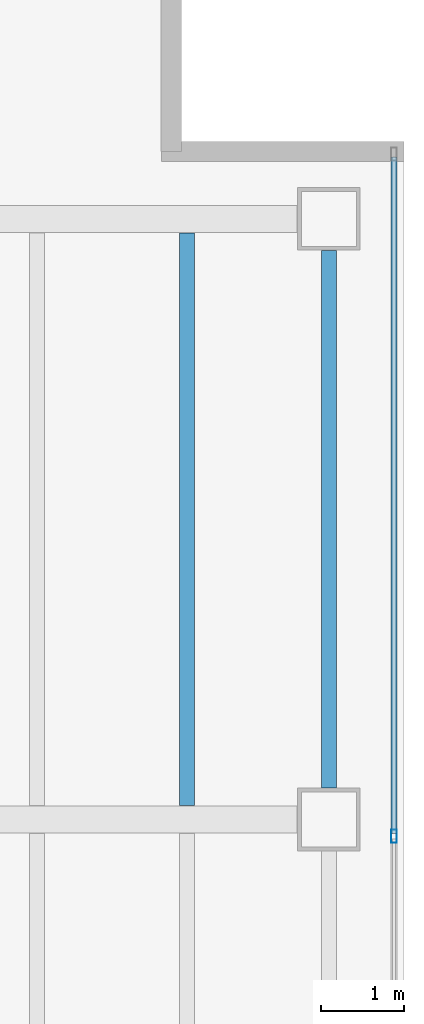
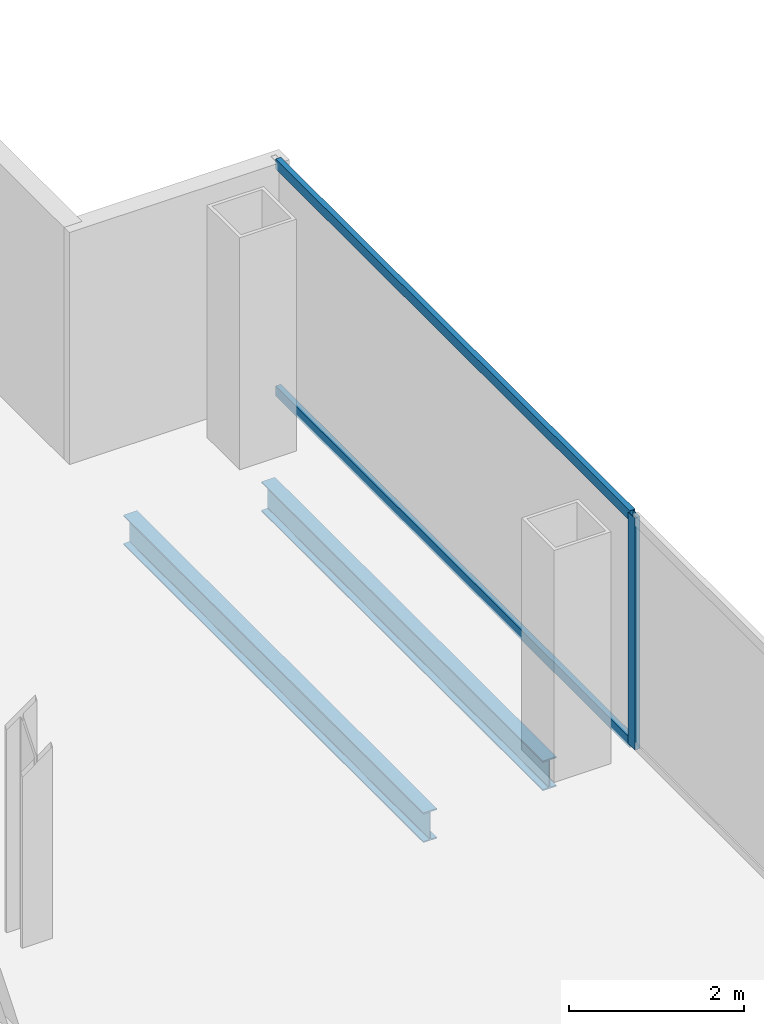
# One storey, part 14 of 23: 3 members, 2 beams, 1 element without a shape of its own.
"""IFC4 building model written with IfcOpenShell, lengths in metres."""

from ifc_helpers import new_model, si_unit, direction, frame, origin, origin_2d, place, context, subcontext, project, spatial, hollow_rectangle, i_section, extrude, material, material_profile, profile_set, type_object, element, aggregate, save


model = new_model("IFC4")

# Units and contexts
model_context = context("Model", 3, precision=1e-05, world=origin(), true_north=direction((0.0, 1.0)))
body_context = subcontext(model_context, "Body", "Model", "MODEL_VIEW")
ifc_project = project(units=[si_unit("LENGTHUNIT", "METRE"), si_unit("AREAUNIT", "SQUARE_METRE"), si_unit("VOLUMEUNIT", "CUBIC_METRE"), si_unit("PLANEANGLEUNIT", "RADIAN"), si_unit("MASSUNIT", "GRAM", prefix="KILO")], contexts=[model_context])

# Site, building, storey
site_placement = place(None, origin())
site = spatial("IfcSite", under=ifc_project, at=site_placement, CompositionType="ELEMENT")
building_placement = place(site_placement, origin())
building = spatial("IfcBuilding", under=site, at=building_placement, Name="Cobrela Telecom Tower", CompositionType="ELEMENT")
storey_placement = place(building_placement, frame((0.0, 0.0, 222.25)))
storey = spatial("IfcBuildingStorey", under=building, at=storey_placement, Name="L57", CompositionType="ELEMENT", Elevation=222.25)

# Beams
ifc_material_1 = material(Name="Steel ASTM A992 Grade 50", Category="steel")
ifc_material_profile_1 = material_profile(ifc_material_1, i_section(OverallWidth=0.179931640625, OverallDepth=0.4169921875, WebThickness=0.010986328125, FlangeThickness=0.01806640625, FilletRadius=0.011962890625, at=origin_2d()), Name="W16X57")
ifc_profile_set_1 = profile_set([ifc_material_profile_1], Name="Steel ASTM A992 Grade 50")
beam_type_1 = type_object("IfcBeamType", Name="BM-JOIST-04", PredefinedType="JOIST", material=ifc_profile_set_1)
beam_1_placement = place(storey_placement, frame((41.39990234375, 14.5673828125, -0.468505859375), z_axis=(0.0, 1.0, 0.0), x_axis=(-1.0, 0.0, 0.0)))
element("IfcBeam", 1, at=beam_1_placement, inside=storey, type_object=beam_type_1, Name="L57 Secondary Composite Floor Beam J30", PredefinedType="JOIST", context=body_context, shape_type="SweptSolid", body=[
    extrude(i_section(OverallWidth=0.179931640625, OverallDepth=0.4169921875, WebThickness=0.010986328125, FlangeThickness=0.01806640625, FilletRadius=0.011962890625, at=origin_2d()), origin(), (0.0, 0.0, 1.0), 6.865234375),
])
ifc_material_profile_2 = material_profile(ifc_material_1, i_section(OverallWidth=0.179931640625, OverallDepth=0.4169921875, WebThickness=0.010986328125, FlangeThickness=0.01806640625, FilletRadius=0.011962890625, at=origin_2d()), Name="W16X57")
ifc_profile_set_2 = profile_set([ifc_material_profile_2], Name="Steel ASTM A992 Grade 50")
beam_type_2 = type_object("IfcBeamType", Name="BM-SPAND-06", PredefinedType="SPANDREL", material=ifc_profile_set_2)
beam_2_placement = place(storey_placement, frame((43.10009765625, 14.780029296875, -0.468505859375), z_axis=(0.0, 1.0, 0.0), x_axis=(-1.0, 0.0, 0.0)))
element("IfcBeam", 2, at=beam_2_placement, inside=storey, type_object=beam_type_2, Name="L57 Perimeter Spandrel Y43", PredefinedType="SPANDREL", context=body_context, shape_type="SweptSolid", body=[
    extrude(i_section(OverallWidth=0.179931640625, OverallDepth=0.4169921875, WebThickness=0.010986328125, FlangeThickness=0.01806640625, FilletRadius=0.011962890625, at=origin_2d()), origin(), (0.0, 0.0, 1.0), 6.43994140625),
])

# Curtain wall, members
ifc_material_2 = material(Name="Anodized Bronze Aluminium 6063-T6", Category="aluminium")
curtain_wall_type = type_object("IfcCurtainWallType", Name="CW-SYS-OFF-LO", PredefinedType="USERDEFINED", material=ifc_material_2)
curtain_wall_placement = place(storey_placement, origin())
curtain_wall = element("IfcCurtainWall", 3, at=curtain_wall_placement, inside=storey, type_object=curtain_wall_type, Name="L57 Unitised Bronze Curtain Wall 14", ObjectType="UNITISED CURTAIN WALL", PredefinedType="USERDEFINED")
ifc_material_profile_3 = material_profile(ifc_material_2, hollow_rectangle(XDim=0.070068359375, YDim=0.159912109375, WallThickness=0.00390625, at=origin_2d()), Name="ALU 70x160x4")
ifc_profile_set_3 = profile_set([ifc_material_profile_3], Name="Anodized Bronze Aluminium 6063-T6")
member_type_1 = type_object("IfcMemberType", Name="CW-SYS-OFF-LO-MUL", PredefinedType="MULLION", material=ifc_profile_set_3)
member_1_placement = place(storey_placement, frame((43.8798828125, 14.199951171875, 0.0), z_axis=(0.0, 0.0, 1.0), x_axis=(1.0, 0.0, 0.0)))
member_1 = element("IfcMember", 4, at=member_1_placement, type_object=member_type_1, Name="CW-OFF-LO mullion 2", PredefinedType="MULLION", context=body_context, shape_type="SweptSolid", body=[
    extrude(hollow_rectangle(XDim=0.070068359375, YDim=0.159912109375, WallThickness=0.00390625, at=origin_2d()), origin(), (0.0, 0.0, 1.0), 3.239990234375),
])
ifc_material_profile_4 = material_profile(ifc_material_2, hollow_rectangle(XDim=0.070068359375, YDim=0.139892578125, WallThickness=0.00390625, at=origin_2d()), Name="ALU 70x140x4")
ifc_profile_set_4 = profile_set([ifc_material_profile_4], Name="Anodized Bronze Aluminium 6063-T6")
member_type_2 = type_object("IfcMemberType", Name="CW-SYS-OFF-LO-TRN", PredefinedType="USERDEFINED", material=ifc_profile_set_4)
member_2_placement = place(storey_placement, frame((43.8798828125, 22.340087890625, 0.034912109375), z_axis=(0.0, -1.0, 0.0), x_axis=(1.0, 0.0, 0.0)))
member_2 = element("IfcMember", 5, at=member_2_placement, type_object=member_type_2, Name="CW-OFF-LO transom 1.1", ObjectType="TRANSOM", PredefinedType="USERDEFINED", context=body_context, shape_type="SweptSolid", body=[
    extrude(hollow_rectangle(XDim=0.070068359375, YDim=0.139892578125, WallThickness=0.00390625, at=origin_2d()), origin(), (0.0, 0.0, 1.0), 8.10498046875),
])
member_3_placement = place(storey_placement, frame((43.8798828125, 22.340087890625, 3.205078125), z_axis=(0.0, -1.0, 0.0), x_axis=(1.0, 0.0, 0.0)))
member_3 = element("IfcMember", 6, at=member_3_placement, type_object=member_type_2, Name="CW-OFF-LO transom 1.2", ObjectType="TRANSOM", PredefinedType="USERDEFINED", context=body_context, shape_type="SweptSolid", body=[
    extrude(hollow_rectangle(XDim=0.070068359375, YDim=0.139892578125, WallThickness=0.00390625, at=origin_2d()), origin(), (0.0, 0.0, 1.0), 8.10498046875),
])
aggregate(curtain_wall, [member_1, member_2, member_3])

save(model, "model.ifc")
